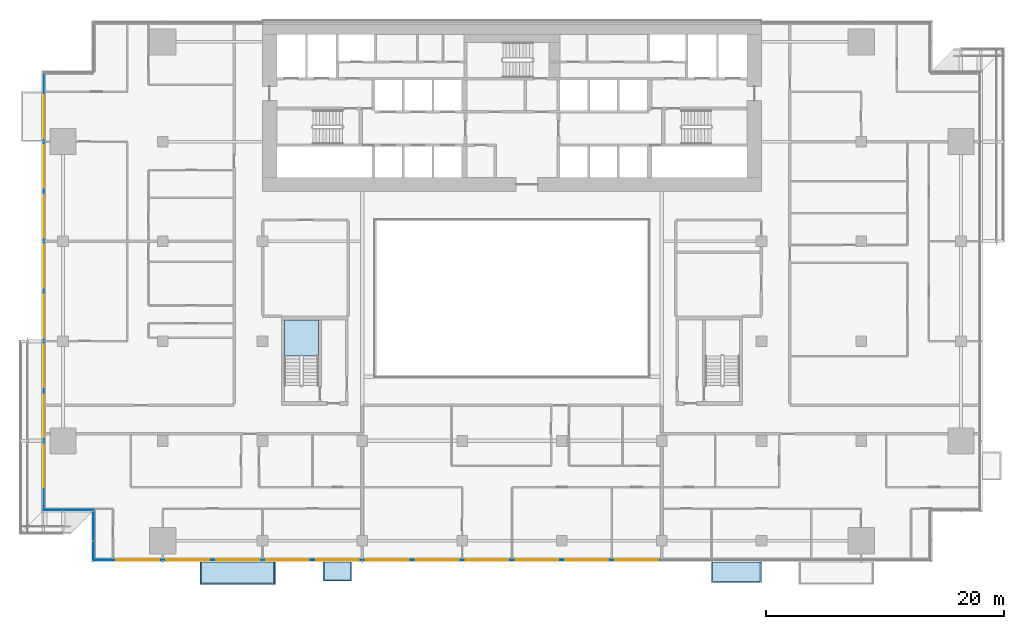
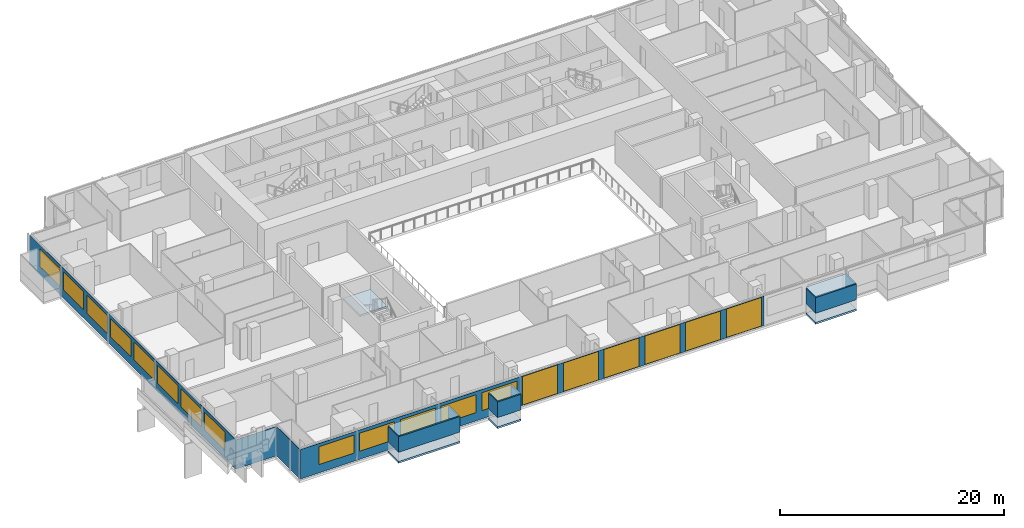
# One storey, part 15 of 29: 19 windows, 11 plates, 4 slabs, 19 openings, 5 elements without a shape of their own.
"""IFC4 building model written with IfcOpenShell, lengths in metres."""

from ifc_helpers import new_model, si_unit, direction, frame, frame_2d, origin, place, context, subcontext, project, spatial, polyline, rectangle, outline, extrude, material, layer, layer_set, type_object, element, fill, aggregate, save


model = new_model("IFC4")

# Units and contexts
model_context = context("Model", 3, precision=1e-05, world=origin(), true_north=direction((0.0, 1.0)))
body_context = subcontext(model_context, "Body", "Model", "MODEL_VIEW")
ifc_project = project(units=[si_unit("LENGTHUNIT", "METRE"), si_unit("AREAUNIT", "SQUARE_METRE"), si_unit("VOLUMEUNIT", "CUBIC_METRE"), si_unit("PLANEANGLEUNIT", "RADIAN"), si_unit("MASSUNIT", "GRAM", prefix="KILO")], contexts=[model_context])

# Site, building, storey
site_placement = place(None, origin())
site = spatial("IfcSite", under=ifc_project, at=site_placement, CompositionType="ELEMENT")
building_placement = place(site_placement, origin())
building = spatial("IfcBuilding", under=site, at=building_placement, Name="Saffron Gate Tower", CompositionType="ELEMENT")
storey_placement = place(building_placement, frame((0.0, 0.0, 55.199951171875)))
storey = spatial("IfcBuildingStorey", under=building, at=storey_placement, Name="L12", CompositionType="ELEMENT", Elevation=55.199951171875)

# Curtain wall, plates, openings, windows
ifc_material_1 = material(Name="Aluminium, bronze anodised", Category="aluminium")
curtain_wall_type_1 = type_object("IfcCurtainWallType", Name="CWS1 curtain wall front facade", PredefinedType="NOTDEFINED", material=ifc_material_1)
curtain_wall_1_placement = place(storey_placement, origin())
curtain_wall_1 = element("IfcCurtainWall", 1, at=curtain_wall_1_placement, inside=storey, type_object=curtain_wall_type_1, Name="CWS1 run 1", PredefinedType="NOTDEFINED")
ifc_material_2 = material(Name="Clear low-iron laminated glass", Category="glass")
ifc_layer_1 = layer(ifc_material_2, 0.028076171875)
ifc_layer_set_1 = layer_set([ifc_layer_1], Name="CWS1 clear glass")
plate_type_1 = type_object("IfcPlateType", Name="CWS1 clear glass", PredefinedType="CURTAIN_PANEL", material=ifc_layer_set_1)
plate_1_placement = place(storey_placement, frame((75.030029296875, 30.174072265625, 0.0), z_axis=(0.0, 0.0, 1.0), x_axis=(1.0, 0.0, 0.0)))
plate_1 = element("IfcPlate", 2, at=plate_1_placement, type_object=plate_type_1, Name="CWS1 clear glass panel", PredefinedType="CURTAIN_PANEL", context=body_context, shape_type="SweptSolid", body=[
    extrude(rectangle(XDim=25.139892578125, YDim=0.028076171875, at=frame_2d((12.56982421875, 0.0))), origin(), (0.0, 0.0, 1.0), 3.199951171875),
])
opening_1_placement = place(plate_1_placement, frame((0.27001953125, 0.0, 0.050048828125)))
opening_1 = element("IfcOpeningElement", 3, at=opening_1_placement, cuts=plate_1, Name="Opening WA", PredefinedType="OPENING", context=body_context, shape_type="SweptSolid", body=[
    extrude(rectangle(XDim=3.60009765625, YDim=3.10009765625, at=frame_2d((1.800048828125, 1.550048828125))), frame((0.0, 0.02392578125, 0.0), z_axis=(0.0, -1.0, 0.0), x_axis=(1.0, 0.0, 0.0)), (0.0, 0.0, 1.0), 0.048095703125),
])
opening_2_placement = place(plate_1_placement, frame((4.469970703125, 0.0, 0.050048828125)))
opening_2 = element("IfcOpeningElement", 4, at=opening_2_placement, cuts=plate_1, Name="Opening WA", PredefinedType="OPENING", context=body_context, shape_type="SweptSolid", body=[
    extrude(rectangle(XDim=3.60009765625, YDim=3.10009765625, at=frame_2d((1.800048828125, 1.550048828125))), frame((0.0, 0.02392578125, 0.0), z_axis=(0.0, -1.0, 0.0), x_axis=(1.0, 0.0, 0.0)), (0.0, 0.0, 1.0), 0.048095703125),
])
opening_3_placement = place(plate_1_placement, frame((8.669921875, 0.0, 0.050048828125)))
opening_3 = element("IfcOpeningElement", 5, at=opening_3_placement, cuts=plate_1, Name="Opening WA", PredefinedType="OPENING", context=body_context, shape_type="SweptSolid", body=[
    extrude(rectangle(XDim=3.60009765625, YDim=3.10009765625, at=frame_2d((1.800048828125, 1.550048828125))), frame((0.0, 0.02392578125, 0.0), z_axis=(0.0, -1.0, 0.0), x_axis=(1.0, 0.0, 0.0)), (0.0, 0.0, 1.0), 0.048095703125),
])
opening_4_placement = place(plate_1_placement, frame((12.8701171875, 0.0, 0.050048828125)))
opening_4 = element("IfcOpeningElement", 6, at=opening_4_placement, cuts=plate_1, Name="Opening WA", PredefinedType="OPENING", context=body_context, shape_type="SweptSolid", body=[
    extrude(rectangle(XDim=3.60009765625, YDim=3.10009765625, at=frame_2d((1.800048828125, 1.550048828125))), frame((0.0, 0.02392578125, 0.0), z_axis=(0.0, -1.0, 0.0), x_axis=(1.0, 0.0, 0.0)), (0.0, 0.0, 1.0), 0.048095703125),
])
opening_5_placement = place(plate_1_placement, frame((17.070068359375, 0.0, 0.050048828125)))
opening_5 = element("IfcOpeningElement", 7, at=opening_5_placement, cuts=plate_1, Name="Opening WA", PredefinedType="OPENING", context=body_context, shape_type="SweptSolid", body=[
    extrude(rectangle(XDim=3.60009765625, YDim=3.10009765625, at=frame_2d((1.800048828125, 1.550048828125))), frame((0.0, 0.02392578125, 0.0), z_axis=(0.0, -1.0, 0.0), x_axis=(1.0, 0.0, 0.0)), (0.0, 0.0, 1.0), 0.048095703125),
])
opening_6_placement = place(plate_1_placement, frame((21.27001953125, 0.0, 0.050048828125)))
opening_6 = element("IfcOpeningElement", 8, at=opening_6_placement, cuts=plate_1, Name="Opening WA", PredefinedType="OPENING", context=body_context, shape_type="SweptSolid", body=[
    extrude(rectangle(XDim=3.60009765625, YDim=3.10009765625, at=frame_2d((1.800048828125, 1.550048828125))), frame((0.0, 0.02392578125, 0.0), z_axis=(0.0, -1.0, 0.0), x_axis=(1.0, 0.0, 0.0)), (0.0, 0.0, 1.0), 0.048095703125),
])
ifc_material_3 = material(Name="Clear low-iron laminated glass in bronze frame", Category="glass")
ifc_layer_2 = layer(ifc_material_3, 0.06005859375)
ifc_layer_set_2 = layer_set([ifc_layer_2], Name="WA operable atrium unit 3600x3100")
window_type_1 = type_object("IfcWindowType", Name="WA operable atrium unit 3600x3100", PartitioningType="DOUBLE_PANEL_HORIZONTAL", PredefinedType="WINDOW", material=ifc_layer_set_2)
window_1_placement = place(opening_1_placement, origin())
window_1 = element("IfcWindow", 9, at=window_1_placement, type_object=window_type_1, Name="WA operable atrium unit", OverallHeight=3.10009765625, OverallWidth=3.60009765625, PartitioningType="SINGLE_PANEL", PredefinedType="WINDOW", context=body_context, shape_type="SweptSolid", body=[
    extrude(rectangle(XDim=3.60009765625, YDim=3.10009765625, at=frame_2d((1.800048828125, 1.550048828125))), frame((0.0, 0.013671875, 0.0), z_axis=(0.0, -1.0, 0.0), x_axis=(1.0, 0.0, 0.0)), (0.0, 0.0, 1.0), 0.027587890625),
])
fill(opening_1, window_1)
window_2_placement = place(opening_2_placement, origin())
window_2 = element("IfcWindow", 10, at=window_2_placement, type_object=window_type_1, Name="WA operable atrium unit", OverallHeight=3.10009765625, OverallWidth=3.60009765625, PartitioningType="SINGLE_PANEL", PredefinedType="WINDOW", context=body_context, shape_type="SweptSolid", body=[
    extrude(rectangle(XDim=3.60009765625, YDim=3.10009765625, at=frame_2d((1.800048828125, 1.550048828125))), frame((0.0, 0.013671875, 0.0), z_axis=(0.0, -1.0, 0.0), x_axis=(1.0, 0.0, 0.0)), (0.0, 0.0, 1.0), 0.027587890625),
])
fill(opening_2, window_2)
window_3_placement = place(opening_3_placement, origin())
window_3 = element("IfcWindow", 11, at=window_3_placement, type_object=window_type_1, Name="WA operable atrium unit", OverallHeight=3.10009765625, OverallWidth=3.60009765625, PartitioningType="SINGLE_PANEL", PredefinedType="WINDOW", context=body_context, shape_type="SweptSolid", body=[
    extrude(rectangle(XDim=3.60009765625, YDim=3.10009765625, at=frame_2d((1.800048828125, 1.550048828125))), frame((0.0, 0.013671875, 0.0), z_axis=(0.0, -1.0, 0.0), x_axis=(1.0, 0.0, 0.0)), (0.0, 0.0, 1.0), 0.027587890625),
])
fill(opening_3, window_3)
window_4_placement = place(opening_4_placement, origin())
window_4 = element("IfcWindow", 12, at=window_4_placement, type_object=window_type_1, Name="WA operable atrium unit", OverallHeight=3.10009765625, OverallWidth=3.60009765625, PartitioningType="SINGLE_PANEL", PredefinedType="WINDOW", context=body_context, shape_type="SweptSolid", body=[
    extrude(rectangle(XDim=3.60009765625, YDim=3.10009765625, at=frame_2d((1.800048828125, 1.550048828125))), frame((0.0, 0.013671875, 0.0), z_axis=(0.0, -1.0, 0.0), x_axis=(1.0, 0.0, 0.0)), (0.0, 0.0, 1.0), 0.027587890625),
])
fill(opening_4, window_4)
window_5_placement = place(opening_5_placement, origin())
window_5 = element("IfcWindow", 13, at=window_5_placement, type_object=window_type_1, Name="WA operable atrium unit", OverallHeight=3.10009765625, OverallWidth=3.60009765625, PartitioningType="SINGLE_PANEL", PredefinedType="WINDOW", context=body_context, shape_type="SweptSolid", body=[
    extrude(rectangle(XDim=3.60009765625, YDim=3.10009765625, at=frame_2d((1.800048828125, 1.550048828125))), frame((0.0, 0.013671875, 0.0), z_axis=(0.0, -1.0, 0.0), x_axis=(1.0, 0.0, 0.0)), (0.0, 0.0, 1.0), 0.027587890625),
])
fill(opening_5, window_5)
window_6_placement = place(opening_6_placement, origin())
window_6 = element("IfcWindow", 14, at=window_6_placement, type_object=window_type_1, Name="WA operable atrium unit", OverallHeight=3.10009765625, OverallWidth=3.60009765625, PartitioningType="SINGLE_PANEL", PredefinedType="WINDOW", context=body_context, shape_type="SweptSolid", body=[
    extrude(rectangle(XDim=3.60009765625, YDim=3.10009765625, at=frame_2d((1.800048828125, 1.550048828125))), frame((0.0, 0.013671875, 0.0), z_axis=(0.0, -1.0, 0.0), x_axis=(1.0, 0.0, 0.0)), (0.0, 0.0, 1.0), 0.027587890625),
])
fill(opening_6, window_6)
ifc_material_4 = material(Name="Fritted bronze-tinted laminated glass", Category="glass")
ifc_layer_3 = layer(ifc_material_4, 0.028076171875)
ifc_layer_set_3 = layer_set([ifc_layer_3], Name="CWS1 fixed glass")
plate_type_2 = type_object("IfcPlateType", Name="CWS1 fixed glass", PredefinedType="CURTAIN_PANEL", material=ifc_layer_set_3)
plate_2_placement = place(storey_placement, frame((52.387939453125, 30.174072265625, 0.0), z_axis=(0.0, 0.0, 1.0), x_axis=(1.0, 0.0, 0.0)))
plate_2 = element("IfcPlate", 15, at=plate_2_placement, type_object=plate_type_2, Name="CWS1 glass panel", PredefinedType="CURTAIN_PANEL", context=body_context, shape_type="SweptSolid", body=[
    extrude(rectangle(XDim=22.64208984375, YDim=0.028076171875, at=frame_2d((11.321044921875, 0.0))), origin(), (0.0, 0.0, 1.0), 3.199951171875),
])
opening_7_placement = place(plate_2_placement, frame((1.912109375, 0.0, 0.89990234375)))
opening_7 = element("IfcOpeningElement", 16, at=opening_7_placement, cuts=plate_2, Name="Opening W1", PredefinedType="OPENING", context=body_context, shape_type="SweptSolid", body=[
    extrude(rectangle(XDim=3.60009765625, YDim=1.949951171875, at=frame_2d((1.800048828125, 0.97509765625))), frame((0.0, 0.02392578125, 0.0), z_axis=(0.0, -1.0, 0.0), x_axis=(1.0, 0.0, 0.0)), (0.0, 0.0, 1.0), 0.048095703125),
])
opening_8_placement = place(plate_2_placement, frame((6.112060546875, 0.0, 0.89990234375)))
opening_8 = element("IfcOpeningElement", 17, at=opening_8_placement, cuts=plate_2, Name="Opening W1", PredefinedType="OPENING", context=body_context, shape_type="SweptSolid", body=[
    extrude(rectangle(XDim=3.60009765625, YDim=1.949951171875, at=frame_2d((1.800048828125, 0.97509765625))), frame((0.0, 0.02392578125, 0.0), z_axis=(0.0, -1.0, 0.0), x_axis=(1.0, 0.0, 0.0)), (0.0, 0.0, 1.0), 0.048095703125),
])
opening_9_placement = place(plate_2_placement, frame((10.31201171875, 0.0, 0.89990234375)))
opening_9 = element("IfcOpeningElement", 18, at=opening_9_placement, cuts=plate_2, Name="Opening W1", PredefinedType="OPENING", context=body_context, shape_type="SweptSolid", body=[
    extrude(rectangle(XDim=3.60009765625, YDim=1.949951171875, at=frame_2d((1.800048828125, 0.97509765625))), frame((0.0, 0.02392578125, 0.0), z_axis=(0.0, -1.0, 0.0), x_axis=(1.0, 0.0, 0.0)), (0.0, 0.0, 1.0), 0.048095703125),
])
opening_10_placement = place(plate_2_placement, frame((14.511962890625, 0.0, 0.89990234375)))
opening_10 = element("IfcOpeningElement", 19, at=opening_10_placement, cuts=plate_2, Name="Opening W1", PredefinedType="OPENING", context=body_context, shape_type="SweptSolid", body=[
    extrude(rectangle(XDim=3.60009765625, YDim=1.949951171875, at=frame_2d((1.800048828125, 0.97509765625))), frame((0.0, 0.02392578125, 0.0), z_axis=(0.0, -1.0, 0.0), x_axis=(1.0, 0.0, 0.0)), (0.0, 0.0, 1.0), 0.048095703125),
])
opening_11_placement = place(plate_2_placement, frame((18.7119140625, 0.0, 0.89990234375)))
opening_11 = element("IfcOpeningElement", 20, at=opening_11_placement, cuts=plate_2, Name="Opening W1", PredefinedType="OPENING", context=body_context, shape_type="SweptSolid", body=[
    extrude(rectangle(XDim=3.60009765625, YDim=1.949951171875, at=frame_2d((1.800048828125, 0.97509765625))), frame((0.0, 0.02392578125, 0.0), z_axis=(0.0, -1.0, 0.0), x_axis=(1.0, 0.0, 0.0)), (0.0, 0.0, 1.0), 0.048095703125),
])
ifc_material_5 = material(Name="Fritted bronze-tinted laminated glass in bronze frame", Category="glass")
ifc_layer_4 = layer(ifc_material_5, 0.06005859375)
ifc_layer_set_4 = layer_set([ifc_layer_4], Name="W1 operable panel 3600x1950")
window_type_2 = type_object("IfcWindowType", Name="W1 operable panel 3600x1950", PartitioningType="DOUBLE_PANEL_HORIZONTAL", PredefinedType="WINDOW", material=ifc_layer_set_4)
window_7_placement = place(opening_7_placement, origin())
window_7 = element("IfcWindow", 21, at=window_7_placement, type_object=window_type_2, Name="W1 operable panel", OverallHeight=1.949951171875, OverallWidth=3.60009765625, PartitioningType="SINGLE_PANEL", PredefinedType="WINDOW", context=body_context, shape_type="SweptSolid", body=[
    extrude(rectangle(XDim=3.60009765625, YDim=1.949951171875, at=frame_2d((1.800048828125, 0.97509765625))), frame((0.0, 0.013671875, 0.0), z_axis=(0.0, -1.0, 0.0), x_axis=(1.0, 0.0, 0.0)), (0.0, 0.0, 1.0), 0.027587890625),
])
fill(opening_7, window_7)
window_8_placement = place(opening_8_placement, origin())
window_8 = element("IfcWindow", 22, at=window_8_placement, type_object=window_type_2, Name="W1 operable panel", OverallHeight=1.949951171875, OverallWidth=3.60009765625, PartitioningType="SINGLE_PANEL", PredefinedType="WINDOW", context=body_context, shape_type="SweptSolid", body=[
    extrude(rectangle(XDim=3.60009765625, YDim=1.949951171875, at=frame_2d((1.800048828125, 0.97509765625))), frame((0.0, 0.013671875, 0.0), z_axis=(0.0, -1.0, 0.0), x_axis=(1.0, 0.0, 0.0)), (0.0, 0.0, 1.0), 0.027587890625),
])
fill(opening_8, window_8)
window_9_placement = place(opening_9_placement, origin())
window_9 = element("IfcWindow", 23, at=window_9_placement, type_object=window_type_2, Name="W1 operable panel", OverallHeight=1.949951171875, OverallWidth=3.60009765625, PartitioningType="SINGLE_PANEL", PredefinedType="WINDOW", context=body_context, shape_type="SweptSolid", body=[
    extrude(rectangle(XDim=3.60009765625, YDim=1.949951171875, at=frame_2d((1.800048828125, 0.97509765625))), frame((0.0, 0.013671875, 0.0), z_axis=(0.0, -1.0, 0.0), x_axis=(1.0, 0.0, 0.0)), (0.0, 0.0, 1.0), 0.027587890625),
])
fill(opening_9, window_9)
window_10_placement = place(opening_10_placement, origin())
window_10 = element("IfcWindow", 24, at=window_10_placement, type_object=window_type_2, Name="W1 operable panel", OverallHeight=1.949951171875, OverallWidth=3.60009765625, PartitioningType="SINGLE_PANEL", PredefinedType="WINDOW", context=body_context, shape_type="SweptSolid", body=[
    extrude(rectangle(XDim=3.60009765625, YDim=1.949951171875, at=frame_2d((1.800048828125, 0.97509765625))), frame((0.0, 0.013671875, 0.0), z_axis=(0.0, -1.0, 0.0), x_axis=(1.0, 0.0, 0.0)), (0.0, 0.0, 1.0), 0.027587890625),
])
fill(opening_10, window_10)
window_11_placement = place(opening_11_placement, origin())
window_11 = element("IfcWindow", 25, at=window_11_placement, type_object=window_type_2, Name="W1 operable panel", OverallHeight=1.949951171875, OverallWidth=3.60009765625, PartitioningType="SINGLE_PANEL", PredefinedType="WINDOW", context=body_context, shape_type="SweptSolid", body=[
    extrude(rectangle(XDim=3.60009765625, YDim=1.949951171875, at=frame_2d((1.800048828125, 0.97509765625))), frame((0.0, 0.013671875, 0.0), z_axis=(0.0, -1.0, 0.0), x_axis=(1.0, 0.0, 0.0)), (0.0, 0.0, 1.0), 0.027587890625),
])
fill(opening_11, window_11)
aggregate(curtain_wall_1, [plate_2, plate_1, window_7, window_8, window_9, window_10, window_11, window_1, window_2, window_3, window_4, window_5, window_6])

# Curtain wall, plate, openings, windows
curtain_wall_type_2 = type_object("IfcCurtainWallType", Name="CWS2 curtain wall side facades", PredefinedType="NOTDEFINED", material=ifc_material_1)
curtain_wall_2_placement = place(storey_placement, origin())
curtain_wall_2 = element("IfcCurtainWall", 26, at=curtain_wall_2_placement, inside=storey, type_object=curtain_wall_type_2, Name="CWS2 run 10", PredefinedType="NOTDEFINED")
ifc_layer_5 = layer(ifc_material_4, 0.028076171875)
ifc_layer_set_5 = layer_set([ifc_layer_5], Name="CWS2 fixed glass")
plate_type_3 = type_object("IfcPlateType", Name="CWS2 fixed glass", PredefinedType="CURTAIN_PANEL", material=ifc_layer_set_5)
plate_3_placement = place(storey_placement, frame((48.174072265625, 71.2119140625, 0.0), z_axis=(0.0, 0.0, 1.0), x_axis=(0.0, -1.0, 0.0)))
plate_3 = element("IfcPlate", 27, at=plate_3_placement, type_object=plate_type_3, Name="CWS2 glass panel", PredefinedType="CURTAIN_PANEL", context=body_context, shape_type="SweptSolid", body=[
    extrude(rectangle(XDim=36.823974609375, YDim=0.028076171875, at=frame_2d((18.412109375, 0.0))), origin(), (0.0, 0.0, 1.0), 3.199951171875),
])
opening_12_placement = place(plate_3_placement, frame((1.912109375, 0.0, 0.89990234375)))
opening_12 = element("IfcOpeningElement", 28, at=opening_12_placement, cuts=plate_3, Name="Opening W1", PredefinedType="OPENING", context=body_context, shape_type="SweptSolid", body=[
    extrude(rectangle(XDim=3.60009765625, YDim=1.949951171875, at=frame_2d((1.800048828125, 0.97509765625))), frame((0.0, 0.02392578125, 0.0), z_axis=(0.0, -1.0, 0.0), x_axis=(1.0, 0.0, 0.0)), (0.0, 0.0, 1.0), 0.048095703125),
])
opening_13_placement = place(plate_3_placement, frame((6.112060546875, 0.0, 0.89990234375)))
opening_13 = element("IfcOpeningElement", 29, at=opening_13_placement, cuts=plate_3, Name="Opening W1", PredefinedType="OPENING", context=body_context, shape_type="SweptSolid", body=[
    extrude(rectangle(XDim=3.60009765625, YDim=1.949951171875, at=frame_2d((1.800048828125, 0.97509765625))), frame((0.0, 0.02392578125, 0.0), z_axis=(0.0, -1.0, 0.0), x_axis=(1.0, 0.0, 0.0)), (0.0, 0.0, 1.0), 0.048095703125),
])
opening_14_placement = place(plate_3_placement, frame((10.31201171875, 0.0, 0.89990234375)))
opening_14 = element("IfcOpeningElement", 30, at=opening_14_placement, cuts=plate_3, Name="Opening W1", PredefinedType="OPENING", context=body_context, shape_type="SweptSolid", body=[
    extrude(rectangle(XDim=3.60009765625, YDim=1.949951171875, at=frame_2d((1.800048828125, 0.97509765625))), frame((0.0, 0.02392578125, 0.0), z_axis=(0.0, -1.0, 0.0), x_axis=(1.0, 0.0, 0.0)), (0.0, 0.0, 1.0), 0.048095703125),
])
opening_15_placement = place(plate_3_placement, frame((14.511962890625, 0.0, 0.89990234375)))
opening_15 = element("IfcOpeningElement", 31, at=opening_15_placement, cuts=plate_3, Name="Opening W1", PredefinedType="OPENING", context=body_context, shape_type="SweptSolid", body=[
    extrude(rectangle(XDim=3.60009765625, YDim=1.949951171875, at=frame_2d((1.800048828125, 0.97509765625))), frame((0.0, 0.02392578125, 0.0), z_axis=(0.0, -1.0, 0.0), x_axis=(1.0, 0.0, 0.0)), (0.0, 0.0, 1.0), 0.048095703125),
])
opening_16_placement = place(plate_3_placement, frame((18.7119140625, 0.0, 0.89990234375)))
opening_16 = element("IfcOpeningElement", 32, at=opening_16_placement, cuts=plate_3, Name="Opening W1", PredefinedType="OPENING", context=body_context, shape_type="SweptSolid", body=[
    extrude(rectangle(XDim=3.60009765625, YDim=1.949951171875, at=frame_2d((1.800048828125, 0.97509765625))), frame((0.0, 0.02392578125, 0.0), z_axis=(0.0, -1.0, 0.0), x_axis=(1.0, 0.0, 0.0)), (0.0, 0.0, 1.0), 0.048095703125),
])
opening_17_placement = place(plate_3_placement, frame((22.912109375, 0.0, 0.89990234375)))
opening_17 = element("IfcOpeningElement", 33, at=opening_17_placement, cuts=plate_3, Name="Opening W1", PredefinedType="OPENING", context=body_context, shape_type="SweptSolid", body=[
    extrude(rectangle(XDim=3.60009765625, YDim=1.949951171875, at=frame_2d((1.800048828125, 0.97509765625))), frame((0.0, 0.02392578125, 0.0), z_axis=(0.0, -1.0, 0.0), x_axis=(1.0, 0.0, 0.0)), (0.0, 0.0, 1.0), 0.048095703125),
])
opening_18_placement = place(plate_3_placement, frame((27.112060546875, 0.0, 0.89990234375)))
opening_18 = element("IfcOpeningElement", 34, at=opening_18_placement, cuts=plate_3, Name="Opening W1", PredefinedType="OPENING", context=body_context, shape_type="SweptSolid", body=[
    extrude(rectangle(XDim=3.60009765625, YDim=1.949951171875, at=frame_2d((1.800048828125, 0.97509765625))), frame((0.0, 0.02392578125, 0.0), z_axis=(0.0, -1.0, 0.0), x_axis=(1.0, 0.0, 0.0)), (0.0, 0.0, 1.0), 0.048095703125),
])
opening_19_placement = place(plate_3_placement, frame((31.31201171875, 0.0, 0.89990234375)))
opening_19 = element("IfcOpeningElement", 35, at=opening_19_placement, cuts=plate_3, Name="Opening W1", PredefinedType="OPENING", context=body_context, shape_type="SweptSolid", body=[
    extrude(rectangle(XDim=3.60009765625, YDim=1.949951171875, at=frame_2d((1.800048828125, 0.97509765625))), frame((0.0, 0.02392578125, 0.0), z_axis=(0.0, -1.0, 0.0), x_axis=(1.0, 0.0, 0.0)), (0.0, 0.0, 1.0), 0.048095703125),
])
window_12_placement = place(opening_12_placement, origin())
window_12 = element("IfcWindow", 36, at=window_12_placement, type_object=window_type_2, Name="W1 operable panel", OverallHeight=1.949951171875, OverallWidth=3.60009765625, PartitioningType="SINGLE_PANEL", PredefinedType="WINDOW", context=body_context, shape_type="SweptSolid", body=[
    extrude(rectangle(XDim=3.60009765625, YDim=1.949951171875, at=frame_2d((1.800048828125, 0.97509765625))), frame((0.0, 0.013671875, 0.0), z_axis=(0.0, -1.0, 0.0), x_axis=(1.0, 0.0, 0.0)), (0.0, 0.0, 1.0), 0.027587890625),
])
fill(opening_12, window_12)
window_13_placement = place(opening_13_placement, origin())
window_13 = element("IfcWindow", 37, at=window_13_placement, type_object=window_type_2, Name="W1 operable panel", OverallHeight=1.949951171875, OverallWidth=3.60009765625, PartitioningType="SINGLE_PANEL", PredefinedType="WINDOW", context=body_context, shape_type="SweptSolid", body=[
    extrude(rectangle(XDim=3.60009765625, YDim=1.949951171875, at=frame_2d((1.800048828125, 0.97509765625))), frame((0.0, 0.013671875, 0.0), z_axis=(0.0, -1.0, 0.0), x_axis=(1.0, 0.0, 0.0)), (0.0, 0.0, 1.0), 0.027587890625),
])
fill(opening_13, window_13)
window_14_placement = place(opening_14_placement, origin())
window_14 = element("IfcWindow", 38, at=window_14_placement, type_object=window_type_2, Name="W1 operable panel", OverallHeight=1.949951171875, OverallWidth=3.60009765625, PartitioningType="SINGLE_PANEL", PredefinedType="WINDOW", context=body_context, shape_type="SweptSolid", body=[
    extrude(rectangle(XDim=3.60009765625, YDim=1.949951171875, at=frame_2d((1.800048828125, 0.97509765625))), frame((0.0, 0.013671875, 0.0), z_axis=(0.0, -1.0, 0.0), x_axis=(1.0, 0.0, 0.0)), (0.0, 0.0, 1.0), 0.027587890625),
])
fill(opening_14, window_14)
window_15_placement = place(opening_15_placement, origin())
window_15 = element("IfcWindow", 39, at=window_15_placement, type_object=window_type_2, Name="W1 operable panel", OverallHeight=1.949951171875, OverallWidth=3.60009765625, PartitioningType="SINGLE_PANEL", PredefinedType="WINDOW", context=body_context, shape_type="SweptSolid", body=[
    extrude(rectangle(XDim=3.60009765625, YDim=1.949951171875, at=frame_2d((1.800048828125, 0.97509765625))), frame((0.0, 0.013671875, 0.0), z_axis=(0.0, -1.0, 0.0), x_axis=(1.0, 0.0, 0.0)), (0.0, 0.0, 1.0), 0.027587890625),
])
fill(opening_15, window_15)
window_16_placement = place(opening_16_placement, origin())
window_16 = element("IfcWindow", 40, at=window_16_placement, type_object=window_type_2, Name="W1 operable panel", OverallHeight=1.949951171875, OverallWidth=3.60009765625, PartitioningType="SINGLE_PANEL", PredefinedType="WINDOW", context=body_context, shape_type="SweptSolid", body=[
    extrude(rectangle(XDim=3.60009765625, YDim=1.949951171875, at=frame_2d((1.800048828125, 0.97509765625))), frame((0.0, 0.013671875, 0.0), z_axis=(0.0, -1.0, 0.0), x_axis=(1.0, 0.0, 0.0)), (0.0, 0.0, 1.0), 0.027587890625),
])
fill(opening_16, window_16)
window_17_placement = place(opening_17_placement, origin())
window_17 = element("IfcWindow", 41, at=window_17_placement, type_object=window_type_2, Name="W1 operable panel", OverallHeight=1.949951171875, OverallWidth=3.60009765625, PartitioningType="SINGLE_PANEL", PredefinedType="WINDOW", context=body_context, shape_type="SweptSolid", body=[
    extrude(rectangle(XDim=3.60009765625, YDim=1.949951171875, at=frame_2d((1.800048828125, 0.97509765625))), frame((0.0, 0.013671875, 0.0), z_axis=(0.0, -1.0, 0.0), x_axis=(1.0, 0.0, 0.0)), (0.0, 0.0, 1.0), 0.027587890625),
])
fill(opening_17, window_17)
window_18_placement = place(opening_18_placement, origin())
window_18 = element("IfcWindow", 42, at=window_18_placement, type_object=window_type_2, Name="W1 operable panel", OverallHeight=1.949951171875, OverallWidth=3.60009765625, PartitioningType="SINGLE_PANEL", PredefinedType="WINDOW", context=body_context, shape_type="SweptSolid", body=[
    extrude(rectangle(XDim=3.60009765625, YDim=1.949951171875, at=frame_2d((1.800048828125, 0.97509765625))), frame((0.0, 0.013671875, 0.0), z_axis=(0.0, -1.0, 0.0), x_axis=(1.0, 0.0, 0.0)), (0.0, 0.0, 1.0), 0.027587890625),
])
fill(opening_18, window_18)
window_19_placement = place(opening_19_placement, origin())
window_19 = element("IfcWindow", 43, at=window_19_placement, type_object=window_type_2, Name="W1 operable panel", OverallHeight=1.949951171875, OverallWidth=3.60009765625, PartitioningType="SINGLE_PANEL", PredefinedType="WINDOW", context=body_context, shape_type="SweptSolid", body=[
    extrude(rectangle(XDim=3.60009765625, YDim=1.949951171875, at=frame_2d((1.800048828125, 0.97509765625))), frame((0.0, 0.013671875, 0.0), z_axis=(0.0, -1.0, 0.0), x_axis=(1.0, 0.0, 0.0)), (0.0, 0.0, 1.0), 0.027587890625),
])
fill(opening_19, window_19)
aggregate(curtain_wall_2, [plate_3, window_12, window_13, window_14, window_15, window_16, window_17, window_18, window_19])

# Curtain wall, plate
curtain_wall_type_3 = type_object("IfcCurtainWallType", Name="CWS4 curtain wall corner returns", PredefinedType="NOTDEFINED", material=ifc_material_1)
curtain_wall_3_placement = place(storey_placement, origin())
curtain_wall_3 = element("IfcCurtainWall", 44, at=curtain_wall_3_placement, inside=storey, type_object=curtain_wall_type_3, Name="CWS4 run 11", PredefinedType="NOTDEFINED")
ifc_layer_6 = layer(ifc_material_4, 0.028076171875)
ifc_layer_set_6 = layer_set([ifc_layer_6], Name="CWS4 fixed glass")
plate_type_4 = type_object("IfcPlateType", Name="CWS4 fixed glass", PredefinedType="CURTAIN_PANEL", material=ifc_layer_set_6)
plate_4_placement = place(storey_placement, frame((48.18798828125, 34.3740234375, 0.0), z_axis=(0.0, 0.0, 1.0), x_axis=(1.0, 0.0, 0.0)))
plate_4 = element("IfcPlate", 45, at=plate_4_placement, type_object=plate_type_4, Name="CWS4 glass panel", PredefinedType="CURTAIN_PANEL", context=body_context, shape_type="SweptSolid", body=[
    extrude(rectangle(XDim=4.172119140625, YDim=0.028076171875, at=frame_2d((2.0859375, 0.0))), origin(), (0.0, 0.0, 1.0), 3.199951171875),
])
aggregate(curtain_wall_3, [plate_4])

curtain_wall_4_placement = place(storey_placement, origin())
curtain_wall_4 = element("IfcCurtainWall", 46, at=curtain_wall_4_placement, inside=storey, type_object=curtain_wall_type_3, Name="CWS4 run 12", PredefinedType="NOTDEFINED")
plate_5_placement = place(storey_placement, frame((52.3740234375, 34.360107421875, 0.0), z_axis=(0.0, 0.0, 1.0), x_axis=(0.0, -1.0, 0.0)))
plate_5 = element("IfcPlate", 47, at=plate_5_placement, type_object=plate_type_4, Name="CWS4 glass panel", PredefinedType="CURTAIN_PANEL", context=body_context, shape_type="SweptSolid", body=[
    extrude(rectangle(XDim=4.172119140625, YDim=0.028076171875, at=frame_2d((2.0859375, 0.0))), origin(), (0.0, 0.0, 1.0), 3.199951171875),
])
aggregate(curtain_wall_4, [plate_5])

# Stair, slab
ifc_material_6 = material(Name="Concrete C40", Category="concrete")
stair_type = type_object("IfcStairType", Name="ST7 Stair 1350 wide, 20 risers of 180", PredefinedType="HALF_TURN_STAIR", material=ifc_material_6)
stair_placement = place(storey_placement, origin())
stair = element("IfcStair", 48, at=stair_placement, inside=storey, type_object=stair_type, Name="L12 Exit stair D", PredefinedType="HALF_TURN_STAIR")
ifc_layer_7 = layer(ifc_material_6, 0.199951171875)
ifc_layer_set_7 = layer_set([ifc_layer_7], Name="SL1 Stair landing 200")
slab_type_1 = type_object("IfcSlabType", Name="SL1 Stair landing 200", PredefinedType="LANDING", material=ifc_layer_set_7)
slab_1_placement = place(storey_placement, frame((0.0, 0.0, 1.60009765625)))
slab_1 = element("IfcSlab", 49, at=slab_1_placement, type_object=slab_type_1, Name="ST-D landing 1", PredefinedType="LANDING", context=body_context, shape_type="SweptSolid", body=[
    extrude(outline(polyline([(71.300048828125, 47.3701171875), (71.300048828125, 50.39990234375), (68.449951171875, 50.39990234375), (68.449951171875, 47.3701171875), (71.300048828125, 47.3701171875)])), origin(), (0.0, 0.0, 1.0), 0.199951171875),
])
aggregate(stair, [slab_1])

# Slabs
ifc_material_7 = material(Name="Timber deck on bronze frame", Category="wood")
ifc_layer_8 = layer(ifc_material_7, 0.199951171875)
ifc_layer_set_8 = layer_set([ifc_layer_8], Name="WB1 box floor")
slab_type_2 = type_object("IfcSlabType", Name="WB1 box floor", PredefinedType="FLOOR", material=ifc_layer_set_8)
slab_2_placement = place(storey_placement, frame((0.0, 0.0, -0.199951171875)))
element("IfcSlab", 50, at=slab_2_placement, inside=storey, type_object=slab_type_2, Name="WINDOW BOX floor", PredefinedType="FLOOR", context=body_context, shape_type="SweptSolid", body=[
    extrude(outline(polyline([(61.35009765625, 30.0), (67.64990234375, 30.0), (67.64990234375, 28.133056640625), (61.35009765625, 28.133056640625), (61.35009765625, 30.0)])), origin(), (0.0, 0.0, 1.0), 0.199951171875),
])
slab_3_placement = place(storey_placement, frame((0.0, 0.0, -0.199951171875)))
element("IfcSlab", 51, at=slab_3_placement, inside=storey, type_object=slab_type_2, Name="WINDOW BOX floor", PredefinedType="FLOOR", context=body_context, shape_type="SweptSolid", body=[
    extrude(outline(polyline([(71.699951171875, 30.0), (74.10009765625, 30.0), (74.10009765625, 28.39990234375), (71.699951171875, 28.39990234375), (71.699951171875, 30.0)])), origin(), (0.0, 0.0, 1.0), 0.199951171875),
])
slab_4_placement = place(storey_placement, frame((0.0, 0.0, -0.199951171875)))
element("IfcSlab", 52, at=slab_4_placement, inside=storey, type_object=slab_type_2, Name="WINDOW BOX floor", PredefinedType="FLOOR", context=body_context, shape_type="SweptSolid", body=[
    extrude(outline(polyline([(104.39990234375, 30.0), (108.60009765625, 30.0), (108.60009765625, 28.26708984375), (104.39990234375, 28.26708984375), (104.39990234375, 30.0)])), origin(), (0.0, 0.0, 1.0), 0.199951171875),
])

# Plates
ifc_layer_9 = layer(ifc_material_1, 0.1201171875)
ifc_layer_set_9 = layer_set([ifc_layer_9], Name="WB2 box roof")
plate_type_5 = type_object("IfcPlateType", Name="WB2 box roof", PredefinedType="SHEET", material=ifc_layer_set_9)
plate_6_placement = place(storey_placement, frame((0.0, 0.0, 2.699951171875)))
element("IfcPlate", 53, at=plate_6_placement, inside=storey, type_object=plate_type_5, Name="WINDOW BOX roof", PredefinedType="SHEET", context=body_context, shape_type="SweptSolid", body=[
    extrude(outline(polyline([(61.35009765625, 30.0), (67.64990234375, 30.0), (67.64990234375, 28.133056640625), (61.35009765625, 28.133056640625), (61.35009765625, 30.0)])), origin(), (0.0, 0.0, 1.0), 0.1201171875),
])
plate_7_placement = place(storey_placement, frame((0.0, 0.0, 2.699951171875)))
element("IfcPlate", 54, at=plate_7_placement, inside=storey, type_object=plate_type_5, Name="WINDOW BOX roof", PredefinedType="SHEET", context=body_context, shape_type="SweptSolid", body=[
    extrude(outline(polyline([(71.699951171875, 30.0), (74.10009765625, 30.0), (74.10009765625, 28.39990234375), (71.699951171875, 28.39990234375), (71.699951171875, 30.0)])), origin(), (0.0, 0.0, 1.0), 0.1201171875),
])
plate_8_placement = place(storey_placement, frame((0.0, 0.0, 2.699951171875)))
element("IfcPlate", 55, at=plate_8_placement, inside=storey, type_object=plate_type_5, Name="WINDOW BOX roof", PredefinedType="SHEET", context=body_context, shape_type="SweptSolid", body=[
    extrude(outline(polyline([(104.39990234375, 30.0), (108.60009765625, 30.0), (108.60009765625, 28.26708984375), (104.39990234375, 28.26708984375), (104.39990234375, 30.0)])), origin(), (0.0, 0.0, 1.0), 0.1201171875),
])
ifc_layer_10 = layer(ifc_material_2, 0.10009765625)
ifc_layer_set_10 = layer_set([ifc_layer_10], Name="WB6 box glazing")
plate_type_6 = type_object("IfcPlateType", Name="WB6 box glazing", PredefinedType="SHEET", material=ifc_layer_set_10)
plate_9_placement = place(storey_placement, frame((0.0, 0.0, 1.0)))
element("IfcPlate", 56, at=plate_9_placement, inside=storey, type_object=plate_type_6, Name="WINDOW BOX glazing", PredefinedType="SHEET", context=body_context, shape_type="SweptSolid", body=[
    extrude(outline(polyline([(61.35009765625, 30.0), (61.449951171875, 30.0), (61.449951171875, 28.23291015625), (67.550048828125, 28.23291015625), (67.550048828125, 30.0), (67.64990234375, 30.0), (67.64990234375, 28.133056640625), (61.35009765625, 28.133056640625), (61.35009765625, 30.0)])), origin(), (0.0, 0.0, 1.0), 1.699951171875),
])
plate_10_placement = place(storey_placement, frame((0.0, 0.0, 1.0)))
element("IfcPlate", 57, at=plate_10_placement, inside=storey, type_object=plate_type_6, Name="WINDOW BOX glazing", PredefinedType="SHEET", context=body_context, shape_type="SweptSolid", body=[
    extrude(outline(polyline([(71.699951171875, 30.0), (71.800048828125, 30.0), (71.800048828125, 28.5), (74.0, 28.5), (74.0, 30.0), (74.10009765625, 30.0), (74.10009765625, 28.39990234375), (71.699951171875, 28.39990234375), (71.699951171875, 30.0)])), origin(), (0.0, 0.0, 1.0), 1.699951171875),
])
plate_11_placement = place(storey_placement, frame((0.0, 0.0, 1.0)))
element("IfcPlate", 58, at=plate_11_placement, inside=storey, type_object=plate_type_6, Name="WINDOW BOX glazing", PredefinedType="SHEET", context=body_context, shape_type="SweptSolid", body=[
    extrude(outline(polyline([(104.39990234375, 30.0), (104.5, 30.0), (104.5, 28.366943359375), (108.5, 28.366943359375), (108.5, 30.0), (108.60009765625, 30.0), (108.60009765625, 28.26708984375), (104.39990234375, 28.26708984375), (104.39990234375, 30.0)])), origin(), (0.0, 0.0, 1.0), 1.699951171875),
])

save(model, "model.ifc")
